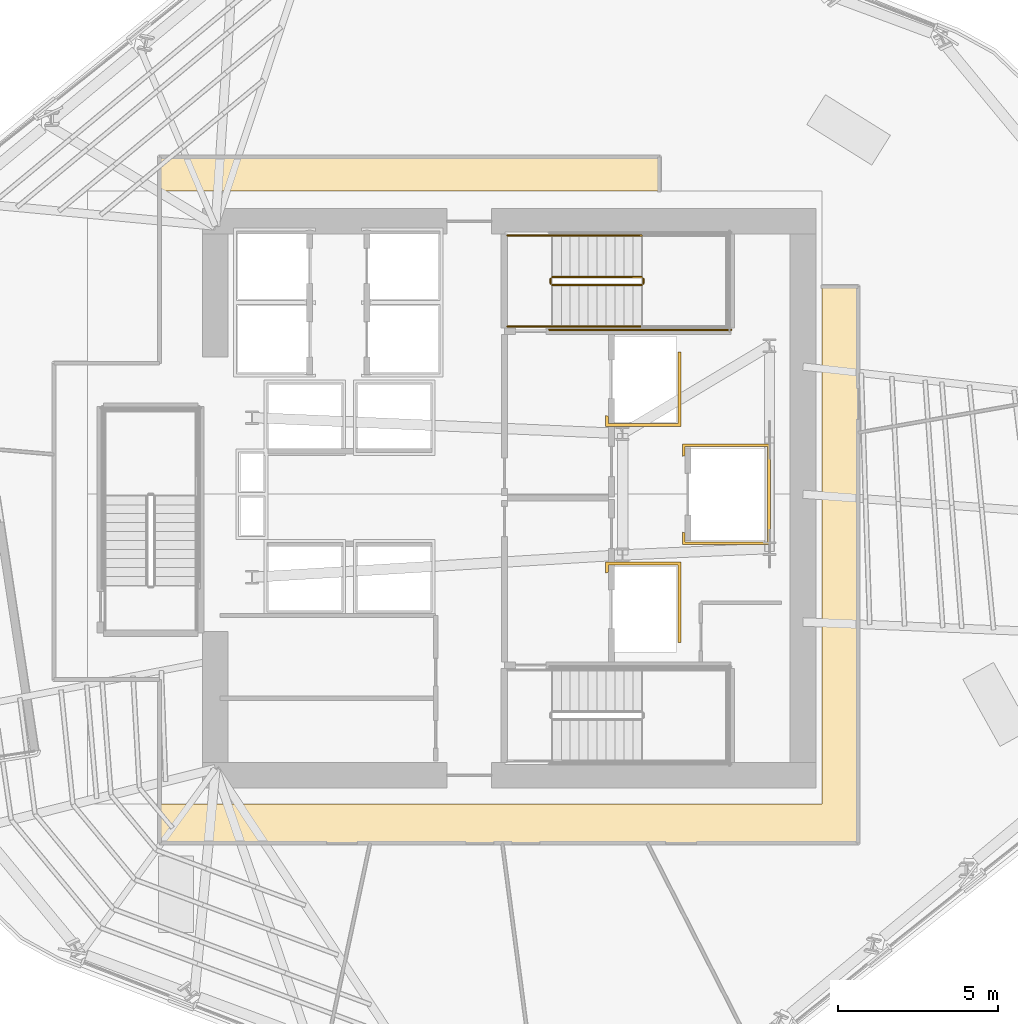
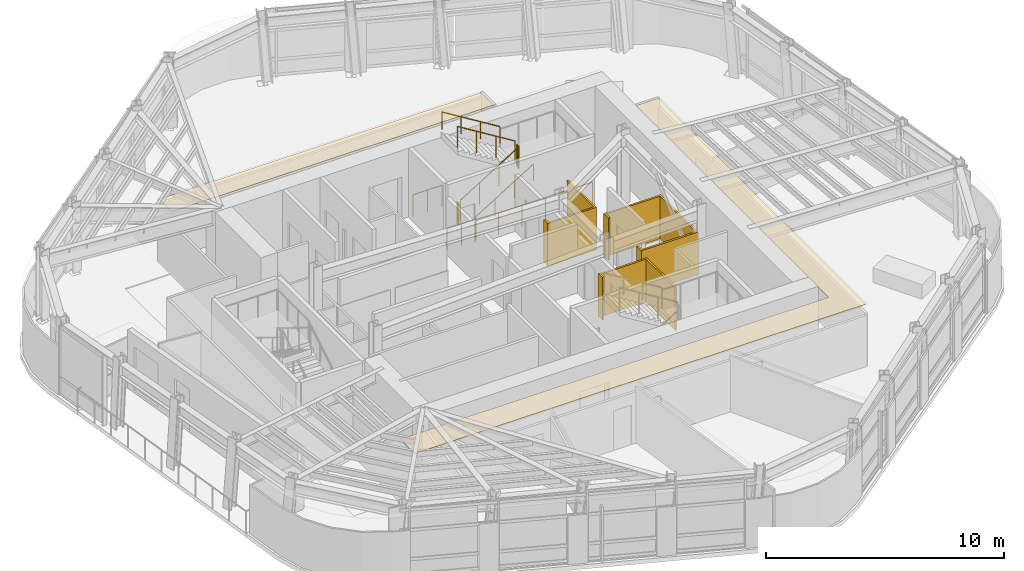
# One storey, part 13 of 15: 9 railings, 5 coverings.
"""IFC4 building model written with IfcOpenShell, lengths in metres."""

from ifc_helpers import new_model, si_unit, direction, frame, origin, origin_2d, place, context, subcontext, project, spatial, polyline, circle, outline, extrude, material, layer, layer_set, type_object, element, save


model = new_model("IFC4")

# Units and contexts
model_context = context("Model", 3, precision=1e-05, world=origin(), true_north=direction((0.0, 1.0)))
body_context = subcontext(model_context, "Body", "Model", "MODEL_VIEW")
ifc_project = project(units=[si_unit("LENGTHUNIT", "METRE"), si_unit("AREAUNIT", "SQUARE_METRE"), si_unit("VOLUMEUNIT", "CUBIC_METRE"), si_unit("PLANEANGLEUNIT", "RADIAN"), si_unit("MASSUNIT", "GRAM", prefix="KILO")], contexts=[model_context])

# Site, building, storey
site_placement = place(None, origin())
site = spatial("IfcSite", under=ifc_project, at=site_placement, CompositionType="ELEMENT")
building_placement = place(site_placement, origin())
building = spatial("IfcBuilding", under=site, at=building_placement, Name="Valkerne Bourse Tower", CompositionType="ELEMENT")
storey_placement = place(building_placement, frame((0.0, 0.0, 189.39990234375)))
storey = spatial("IfcBuildingStorey", under=building, at=storey_placement, Name="L48", CompositionType="ELEMENT", Elevation=189.39990234375)

# Coverings
ifc_material_1 = material(Name="Bronze Anodised Aluminium AA 6063-T6", Category="aluminium")
ifc_layer_1 = layer(ifc_material_1, 0.030029296875)
ifc_layer_set_1 = layer_set([ifc_layer_1], Name="Bronze Anodised Aluminium AA 6063-T6")
covering_type_1 = type_object("IfcCoveringType", Name="COV-CEIL-METAL", PredefinedType="CEILING", material=ifc_layer_set_1)
covering_1_placement = place(storey_placement, frame((0.0, 0.0, 3.170166015625)))
element("IfcCovering", 1, at=covering_1_placement, inside=storey, type_object=covering_type_1, Name="L48 Suspended Ceiling 01", PredefinedType="CEILING", context=body_context, shape_type="SweptSolid", body=[
    extrude(outline(polyline([(35.85400390625, 17.300048828125), (56.60009765625, 17.300048828125), (56.60009765625, 33.49609375), (57.716064453125, 33.49609375), (57.716064453125, 16.083984375), (35.85400390625, 16.083984375), (35.85400390625, 17.300048828125)])), origin(), (0.0, 0.0, 1.0), 0.02490234375),
])
covering_2_placement = place(storey_placement, frame((0.0, 0.0, 3.170166015625)))
element("IfcCovering", 2, at=covering_2_placement, inside=storey, type_object=covering_type_1, Name="L48 Suspended Ceiling 03", PredefinedType="CEILING", context=body_context, shape_type="SweptSolid", body=[
    extrude(outline(polyline([(35.85400390625, 37.555908203125), (51.49609375, 37.555908203125), (51.49609375, 36.5), (35.85400390625, 36.5), (35.85400390625, 37.555908203125)])), origin(), (0.0, 0.0, 1.0), 0.02490234375),
])
ifc_material_2 = material(Name="Gypsum Shaftwall Liner Board", Category="gypsum")
ifc_layer_2 = layer(ifc_material_2, 0.080078125)
ifc_layer_set_2 = layer_set([ifc_layer_2], Name="Gypsum Shaftwall Liner Board")
covering_type_2 = type_object("IfcCoveringType", Name="COV-SHF-CLAD", PredefinedType="CLADDING", material=ifc_layer_set_2)
covering_3_placement = place(storey_placement, origin())
element("IfcCovering", 3, at=covering_3_placement, inside=storey, type_object=covering_type_2, Name="L48 Hoistway & Riser Shaftwall Liner 05", PredefinedType="CLADDING", context=body_context, shape_type="SweptSolid", body=[
    extrude(outline(polyline([(52.179931640625, 22.35009765625), (52.090087890625, 22.35009765625), (52.090087890625, 24.7900390625), (49.909912109375, 24.7900390625), (49.909912109375, 24.560791015625), (49.869384765625, 24.550537109375), (49.827880859375, 24.53564453125), (49.820068359375, 24.531982421875), (49.820068359375, 24.8798828125), (52.179931640625, 24.8798828125), (52.179931640625, 22.35009765625)])), origin(), (0.0, 0.0, 1.0), 2.18017578125),
])
covering_4_placement = place(storey_placement, origin())
element("IfcCovering", 4, at=covering_4_placement, inside=storey, type_object=covering_type_2, Name="L48 Hoistway & Riser Shaftwall Liner 06", PredefinedType="CLADDING", context=body_context, shape_type="SweptSolid", body=[
    extrude(outline(polyline([(54.97998046875, 25.419921875), (52.219970703125, 25.419921875), (52.219970703125, 25.81787109375), (52.227783203125, 25.814208984375), (52.269287109375, 25.79931640625), (52.31005859375, 25.789306640625), (52.31005859375, 25.510009765625), (54.889892578125, 25.510009765625), (54.889892578125, 28.489990234375), (52.31005859375, 28.489990234375), (52.31005859375, 28.210693359375), (52.269287109375, 28.20068359375), (52.227783203125, 28.185791015625), (52.219970703125, 28.18212890625), (52.219970703125, 28.580078125), (54.97998046875, 28.580078125), (54.97998046875, 25.419921875)])), origin(), (0.0, 0.0, 1.0), 2.18017578125),
])
covering_5_placement = place(storey_placement, origin())
element("IfcCovering", 5, at=covering_5_placement, inside=storey, type_object=covering_type_2, Name="L48 Hoistway & Riser Shaftwall Liner 08", PredefinedType="CLADDING", context=body_context, shape_type="SweptSolid", body=[
    extrude(outline(polyline([(49.820068359375, 29.1201171875), (49.820068359375, 29.468017578125), (49.827880859375, 29.46435546875), (49.869384765625, 29.449462890625), (49.909912109375, 29.439208984375), (49.909912109375, 29.2099609375), (52.090087890625, 29.2099609375), (52.090087890625, 31.449951171875), (52.179931640625, 31.449951171875), (52.179931640625, 29.1201171875), (49.820068359375, 29.1201171875)])), origin(), (0.0, 0.0, 1.0), 2.18017578125),
])

# Railings
ifc_material_3 = material(Name="Galvanised Painted Steel", Category="steel")
railing_type_1 = type_object("IfcRailingType", Name="RLG-ST-GUARD-1120", PredefinedType="GUARDRAIL", material=ifc_material_3)
railing_1_placement = place(storey_placement, frame((48.14990234375, 33.550048828125, 0.1728515625)))
element("IfcRailing", 6, at=railing_1_placement, inside=storey, type_object=railing_type_1, Name="L48 ST-2 stair guard 1", PredefinedType="GUARDRAIL", context=body_context, shape_type="SweptSolid", body=[
    extrude(circle(Radius=0.02392578125, at=origin_2d()), frame((0.0, 0.0, 1.09619140625), z_axis=(0.851089632645, 0.0, 0.525020415988), x_axis=(0.0, 1.0, 0.0)), (0.0, 0.0, 1.0), 3.2900390625),
    extrude(circle(Radius=0.02099609375, at=origin_2d()), origin(), (0.0, 0.0, 1.0), 1.072021484375),
    extrude(circle(Radius=0.02099609375, at=origin_2d()), frame((0.933349609375, 0.0, 0.57568359375)), (0.0, 0.0, 1.0), 1.072021484375),
    extrude(circle(Radius=0.02099609375, at=origin_2d()), frame((1.86669921875, 0.0, 1.151611328125)), (0.0, 0.0, 1.0), 1.072021484375),
    extrude(circle(Radius=0.02099609375, at=origin_2d()), frame((2.800048828125, 0.0, 1.727294921875)), (0.0, 0.0, 1.0), 1.072021484375),
])
railing_2_placement = place(storey_placement, frame((51.0, 33.60009765625, 1.900146484375)))
element("IfcRailing", 7, at=railing_2_placement, inside=storey, type_object=railing_type_1, Name="L48 ST-2 stair guard 2", PredefinedType="GUARDRAIL", context=body_context, shape_type="SweptSolid", body=[
    extrude(circle(Radius=0.02392578125, at=origin_2d()), frame((0.0, 0.0, 1.09619140625), z_axis=(0.0, 1.0, 0.0), x_axis=(-1.0, 0.0, 0.0)), (0.0, 0.0, 1.0), 0.14990234375),
    extrude(circle(Radius=0.02099609375, at=origin_2d()), origin(), (0.0, 0.0, 1.0), 1.072021484375),
    extrude(circle(Radius=0.02099609375, at=origin_2d()), frame((0.0, 0.14990234375, 0.0)), (0.0, 0.0, 1.0), 1.072021484375),
])
railing_3_placement = place(storey_placement, frame((50.949951171875, 33.800048828125, 2.07275390625)))
element("IfcRailing", 8, at=railing_3_placement, inside=storey, type_object=railing_type_1, Name="L48 ST-2 stair guard 6", PredefinedType="GUARDRAIL", context=body_context, shape_type="SweptSolid", body=[
    extrude(circle(Radius=0.02392578125, at=origin_2d()), frame((0.0, 0.0, 1.09619140625), z_axis=(-0.851089632645, 0.0, 0.525020415988), x_axis=(0.0, -1.0, 0.0)), (0.0, 0.0, 1.0), 3.2900390625),
    extrude(circle(Radius=0.02099609375, at=origin_2d()), origin(), (0.0, 0.0, 1.0), 1.072021484375),
    extrude(circle(Radius=0.02099609375, at=origin_2d()), frame((-0.933349609375, 0.0, 0.57568359375)), (0.0, 0.0, 1.0), 1.072021484375),
    extrude(circle(Radius=0.02099609375, at=origin_2d()), frame((-1.86669921875, 0.0, 1.151611328125)), (0.0, 0.0, 1.0), 1.072021484375),
    extrude(circle(Radius=0.02099609375, at=origin_2d()), frame((-2.800048828125, 0.0, 1.727294921875)), (0.0, 0.0, 1.0), 1.072021484375),
])
railing_4_placement = place(storey_placement, frame((48.10009765625, 33.60009765625, 0.0)))
element("IfcRailing", 9, at=railing_4_placement, inside=storey, type_object=railing_type_1, Name="L48 ST-2 stair guard 7", PredefinedType="GUARDRAIL", context=body_context, shape_type="SweptSolid", body=[
    extrude(circle(Radius=0.02392578125, at=origin_2d()), frame((0.0, 0.0, 1.09619140625), z_axis=(0.0, 1.0, 0.0), x_axis=(-1.0, 0.0, 0.0)), (0.0, 0.0, 1.0), 0.14990234375),
    extrude(circle(Radius=0.02099609375, at=origin_2d()), origin(), (0.0, 0.0, 1.0), 1.072021484375),
    extrude(circle(Radius=0.02099609375, at=origin_2d()), frame((0.0, 0.14990234375, 0.0)), (0.0, 0.0, 1.0), 1.072021484375),
])
for number, where, name in (
    (10, (46.75, 32.25, 0.0), "L48 ST-2 stair guard 8"),
    (11, (46.75, 35.10009765625, 0.0), "L48 ST-2 stair guard 9"),
):
    element("IfcRailing", number, at=place(storey_placement, frame(where)), inside=storey, type_object=railing_type_1, Name=name, PredefinedType="GUARDRAIL", context=body_context, shape_type="SweptSolid", body=[
        extrude(circle(Radius=0.02392578125, at=origin_2d()), frame((0.0, 0.0, 1.09619140625), z_axis=(1.0, 0.0, 0.0), x_axis=(0.0, 1.0, 0.0)), (0.0, 0.0, 1.0), 1.39990234375),
        extrude(circle(Radius=0.02099609375, at=origin_2d()), origin(), (0.0, 0.0, 1.0), 1.072021484375),
        extrude(circle(Radius=0.02099609375, at=origin_2d()), frame((0.699951171875, 0.0, 0.0)), (0.0, 0.0, 1.0), 1.072021484375),
        extrude(circle(Radius=0.02099609375, at=origin_2d()), frame((1.39990234375, 0.0, 0.0)), (0.0, 0.0, 1.0), 1.072021484375),
    ])
railing_5_placement = place(storey_placement, frame((48.050048828125, 32.14990234375, 0.0)))
element("IfcRailing", 12, at=railing_5_placement, inside=storey, type_object=railing_type_1, Name="L48 ST-2 stair guard 10", PredefinedType="GUARDRAIL", context=body_context, shape_type="SweptSolid", body=[
    extrude(circle(Radius=0.02392578125, at=origin_2d()), frame((0.0, 0.0, 1.09619140625), z_axis=(1.0, 0.0, 0.0), x_axis=(0.0, 1.0, 0.0)), (0.0, 0.0, 1.0), 5.699951171875),
    extrude(circle(Radius=0.02099609375, at=origin_2d()), origin(), (0.0, 0.0, 1.0), 1.072021484375),
    extrude(circle(Radius=0.02099609375, at=origin_2d()), frame((1.139892578125, 0.0, 0.0)), (0.0, 0.0, 1.0), 1.072021484375),
    extrude(circle(Radius=0.02099609375, at=origin_2d()), frame((2.280029296875, 0.0, 0.0)), (0.0, 0.0, 1.0), 1.072021484375),
    extrude(circle(Radius=0.02099609375, at=origin_2d()), frame((3.419921875, 0.0, 0.0)), (0.0, 0.0, 1.0), 1.072021484375),
    extrude(circle(Radius=0.02099609375, at=origin_2d()), frame((4.56005859375, 0.0, 0.0)), (0.0, 0.0, 1.0), 1.072021484375),
    extrude(circle(Radius=0.02099609375, at=origin_2d()), frame((5.699951171875, 0.0, 0.0)), (0.0, 0.0, 1.0), 1.072021484375),
])
ifc_material_4 = material(Name="Stainless Steel AISI 316", Category="steel")
railing_type_2 = type_object("IfcRailingType", Name="RLG-ST-HANDRAIL-900", PredefinedType="HANDRAIL", material=ifc_material_4)
railing_6_placement = place(storey_placement, frame((48.14990234375, 32.25, 0.345458984375)))
element("IfcRailing", 13, at=railing_6_placement, inside=storey, type_object=railing_type_2, Name="L48 ST-2 stair handrail 1", PredefinedType="HANDRAIL", context=body_context, shape_type="SweptSolid", body=[
    extrude(circle(Radius=0.02392578125, at=origin_2d()), frame((0.0, 0.0, 0.8759765625), z_axis=(0.851089632645, 0.0, 0.525020415988), x_axis=(0.0, 1.0, 0.0)), (0.0, 0.0, 1.0), 3.2900390625),
    extrude(circle(Radius=0.02099609375, at=origin_2d()), origin(), (0.0, 0.0, 1.0), 0.851806640625),
    extrude(circle(Radius=0.02099609375, at=origin_2d()), frame((0.933349609375, 0.0, 0.57568359375)), (0.0, 0.0, 1.0), 0.851806640625),
    extrude(circle(Radius=0.02099609375, at=origin_2d()), frame((1.86669921875, 0.0, 1.151611328125)), (0.0, 0.0, 1.0), 0.851806640625),
    extrude(circle(Radius=0.02099609375, at=origin_2d()), frame((2.800048828125, 0.0, 1.727294921875)), (0.0, 0.0, 1.0), 0.851806640625),
])
railing_7_placement = place(storey_placement, frame((50.949951171875, 35.10009765625, 2.24560546875)))
element("IfcRailing", 14, at=railing_7_placement, inside=storey, type_object=railing_type_2, Name="L48 ST-2 stair handrail 2", PredefinedType="HANDRAIL", context=body_context, shape_type="SweptSolid", body=[
    extrude(circle(Radius=0.02392578125, at=origin_2d()), frame((0.0, 0.0, 0.8759765625), z_axis=(-0.851089632645, 0.0, 0.525020415988), x_axis=(0.0, -1.0, 0.0)), (0.0, 0.0, 1.0), 3.2900390625),
    extrude(circle(Radius=0.02099609375, at=origin_2d()), origin(), (0.0, 0.0, 1.0), 0.851806640625),
    extrude(circle(Radius=0.02099609375, at=origin_2d()), frame((-0.933349609375, 0.0, 0.57568359375)), (0.0, 0.0, 1.0), 0.851806640625),
    extrude(circle(Radius=0.02099609375, at=origin_2d()), frame((-1.86669921875, 0.0, 1.151611328125)), (0.0, 0.0, 1.0), 0.851806640625),
    extrude(circle(Radius=0.02099609375, at=origin_2d()), frame((-2.800048828125, 0.0, 1.727294921875)), (0.0, 0.0, 1.0), 0.851806640625),
])

save(model, "model.ifc")
